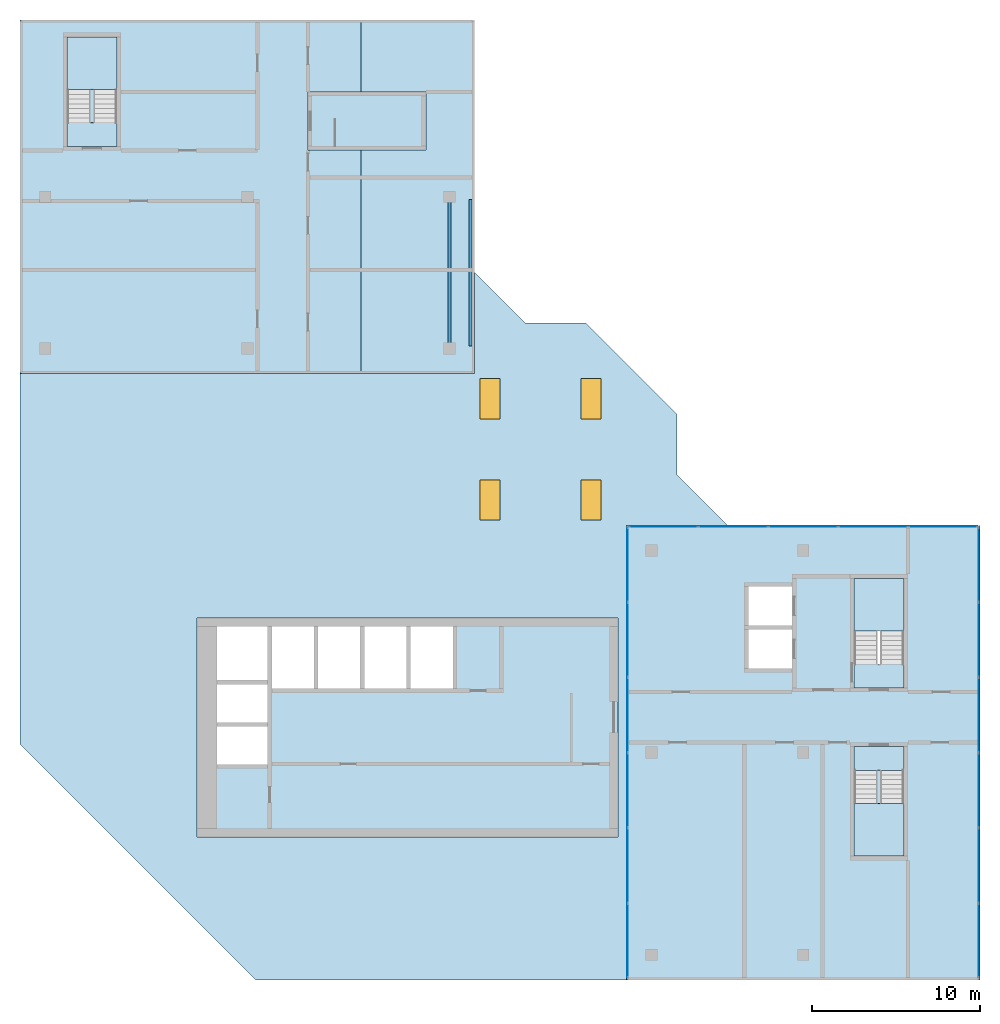
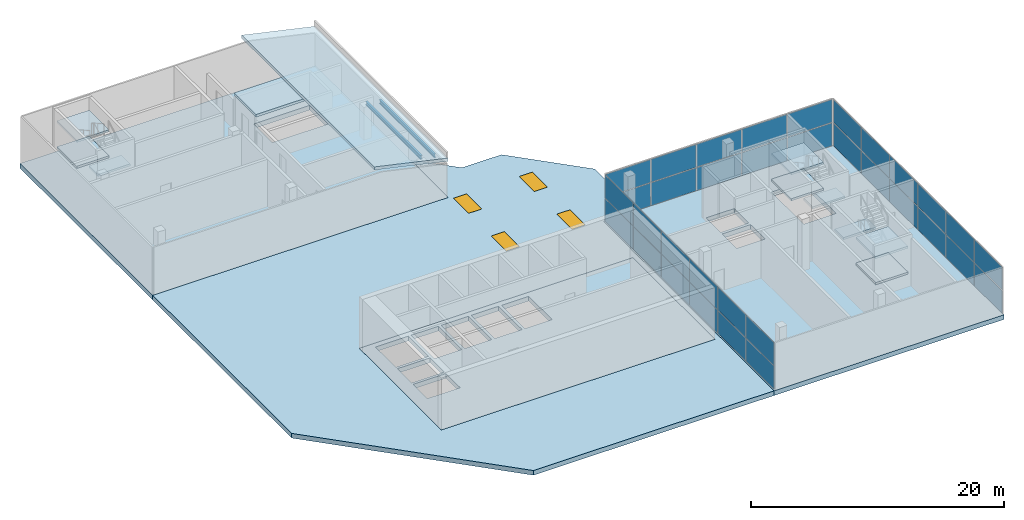
# One storey, part 4 of 8: 34 plates, 15 slabs, 4 windows, 2 beams, 4 openings, 6 elements without a shape of their own.
"""IFC4 building model written with IfcOpenShell, lengths in metres."""

from ifc_helpers import new_model, si_unit, direction, frame, origin, origin_2d, place, context, subcontext, project, spatial, polyline, rectangle, i_section, outline, extrude, material, layer, layer_set, material_profile, profile_set, type_object, element, fill, aggregate, save


model = new_model("IFC4")

# Units and contexts
model_context = context("Model", 3, precision=1e-05, world=origin(), true_north=direction((0.0, 1.0)))
body_context = subcontext(model_context, "Body", "Model", "MODEL_VIEW")
ifc_project = project(units=[si_unit("LENGTHUNIT", "METRE"), si_unit("AREAUNIT", "SQUARE_METRE"), si_unit("VOLUMEUNIT", "CUBIC_METRE"), si_unit("PLANEANGLEUNIT", "RADIAN"), si_unit("MASSUNIT", "GRAM", prefix="KILO")], contexts=[model_context])

# Site, building, storey
site_placement = place(None, origin())
site = spatial("IfcSite", under=ifc_project, at=site_placement, CompositionType="ELEMENT")
building_placement = place(site_placement, origin())
building = spatial("IfcBuilding", under=site, at=building_placement, Name="Chenar Terraces", CompositionType="ELEMENT")
storey_placement = place(building_placement, frame((0.0, 0.0, 383.89990234375)))
storey = spatial("IfcBuildingStorey", under=building, at=storey_placement, Name="L90", CompositionType="ELEMENT", Elevation=383.89990234375)

# Beams
ifc_material_1 = material(Name="Structural steel S355", Category="steel")
ifc_material_profile = material_profile(ifc_material_1, i_section(OverallWidth=0.169921875, OverallDepth=0.360107421875, WebThickness=0.008056640625, FlangeThickness=0.0126953125, FilletRadius=0.01806640625, at=origin_2d()), Name="IPE 360")
ifc_profile_set = profile_set([ifc_material_profile], Name="Structural steel S355")
beam_type = type_object("IfcBeamType", Name="Peak roof purlin IPE 360 S355", PredefinedType="BEAM", material=ifc_profile_set)
for number, where, z_axis, x_axis, name in (
    (1, (25.25, 36.14990234375, 3.11962890625), (0.0, 1.0, 0.0), (-1.0, 0.0, 0.0), "Peak roof purlin B 1"),
    (2, (24.0, 36.14990234375, 3.397705078125), (0.0, 1.0, 0.0), (-1.0, 0.0, 0.0), "Peak roof purlin B 2"),
):
    element("IfcBeam", number, at=place(storey_placement, frame(where, z_axis=z_axis, x_axis=x_axis)), inside=storey, type_object=beam_type, Name=name, PredefinedType="BEAM", context=body_context, shape_type="SweptSolid", body=[
        extrude(i_section(OverallWidth=0.169921875, OverallDepth=0.360107421875, WebThickness=0.008056640625, FlangeThickness=0.0126953125, FilletRadius=0.01806640625, at=origin_2d()), origin(), (0.0, 0.0, 1.0), 8.7001953125),
    ])

# Slab
ifc_material_2 = material(Name="Concrete C40/50", Category="concrete")
ifc_layer_1 = layer(ifc_material_2, 0.25)
ifc_layer_set_1 = layer_set([ifc_layer_1], Name="Concrete C40/50")
slab_type_1 = type_object("IfcSlabType", Name="Block roof slab 250 Concrete C40/50", PredefinedType="ROOF", material=ifc_layer_set_1)
slab_1_placement = place(storey_placement, frame((0.0, 0.0, 3.170166015625)))
element("IfcSlab", 3, at=slab_1_placement, inside=storey, type_object=slab_type_1, Name="Stair 4 roof slab", PredefinedType="ROOF", context=body_context, shape_type="SweptSolid", body=[
    extrude(outline(polyline([(22.60009765625, 47.77490234375), (22.60009765625, 51.22509765625), (15.60009765625, 51.22509765625), (15.60009765625, 47.77490234375), (22.60009765625, 47.77490234375)])), origin(), (0.0, 0.0, 1.0), 0.25),
])

# Stair, slabs
ifc_material_3 = material(Name="Reinforced concrete C40/50", Category="concrete")
stair_type = type_object("IfcStairType", Name="Core stair 1400 half-turn", PredefinedType="HALF_TURN_STAIR", material=ifc_material_3)
placement_1 = place(storey_placement, origin())
stair_1 = element("IfcStair", 4, at=placement_1, inside=storey, type_object=stair_type, Name="L90 Stair 3", PredefinedType="HALF_TURN_STAIR")
ifc_material_4 = material(Name="Reinforced concrete C40/50", Category="concrete")
ifc_layer_2 = layer(ifc_material_4, 0.199951171875)
ifc_layer_set_2 = layer_set([ifc_layer_2], Name="Reinforced concrete C40/50")
slab_type_2 = type_object("IfcSlabType", Name="Core stair landing 200", PredefinedType="LANDING", material=ifc_layer_set_2)
placement_2 = place(storey_placement, frame((0.0, 0.0, 1.050048828125)))
slab_2 = element("IfcSlab", 5, at=placement_2, type_object=slab_type_2, Name="ST3 landing 1", PredefinedType="LANDING", context=body_context, shape_type="SweptSolid", body=[
    extrude(outline(polyline([(50.97509765625, 19.2099609375), (50.97509765625, 22.35009765625), (48.02490234375, 22.35009765625), (48.02490234375, 19.2099609375), (50.97509765625, 19.2099609375)])), origin(), (0.0, 0.0, 1.0), 0.199951171875),
])
placement_3 = place(storey_placement, frame((0.0, 0.0, 2.300048828125)))
slab_3 = element("IfcSlab", 6, at=placement_3, type_object=slab_type_2, Name="ST3 landing 2", PredefinedType="LANDING", context=body_context, shape_type="SweptSolid", body=[
    extrude(outline(polyline([(50.97509765625, 15.85009765625), (50.97509765625, 17.25), (48.02490234375, 17.25), (48.02490234375, 15.85009765625), (50.97509765625, 15.85009765625)])), origin(), (0.0, 0.0, 1.0), 0.199951171875),
])
placement_4 = place(storey_placement, frame((0.0, 0.0, 3.550048828125)))
slab_4 = element("IfcSlab", 7, at=placement_4, type_object=slab_type_2, Name="ST3 landing 3", PredefinedType="LANDING", context=body_context, shape_type="SweptSolid", body=[
    extrude(outline(polyline([(50.97509765625, 19.2099609375), (50.97509765625, 22.35009765625), (48.02490234375, 22.35009765625), (48.02490234375, 19.2099609375), (50.97509765625, 19.2099609375)])), origin(), (0.0, 0.0, 1.0), 0.199951171875),
])
aggregate(stair_1, [slab_2, slab_3, slab_4])

stair_2 = element("IfcStair", 8, at=placement_1, inside=storey, type_object=stair_type, Name="L90 Stair 5", PredefinedType="HALF_TURN_STAIR")
slab_5 = element("IfcSlab", 9, at=placement_2, type_object=slab_type_2, Name="ST5 landing 1", PredefinedType="LANDING", context=body_context, shape_type="SweptSolid", body=[
    extrude(outline(polyline([(48.02490234375, 8.989990234375), (48.02490234375, 5.85009765625), (50.97509765625, 5.85009765625), (50.97509765625, 8.989990234375), (48.02490234375, 8.989990234375)])), origin(), (0.0, 0.0, 1.0), 0.199951171875),
])
slab_6 = element("IfcSlab", 10, at=placement_3, type_object=slab_type_2, Name="ST5 landing 2", PredefinedType="LANDING", context=body_context, shape_type="SweptSolid", body=[
    extrude(outline(polyline([(48.02490234375, 12.35009765625), (48.02490234375, 10.949951171875), (50.97509765625, 10.949951171875), (50.97509765625, 12.35009765625), (48.02490234375, 12.35009765625)])), origin(), (0.0, 0.0, 1.0), 0.199951171875),
])
slab_7 = element("IfcSlab", 11, at=placement_4, type_object=slab_type_2, Name="ST5 landing 3", PredefinedType="LANDING", context=body_context, shape_type="SweptSolid", body=[
    extrude(outline(polyline([(48.02490234375, 8.989990234375), (48.02490234375, 5.85009765625), (50.97509765625, 5.85009765625), (50.97509765625, 8.989990234375), (48.02490234375, 8.989990234375)])), origin(), (0.0, 0.0, 1.0), 0.199951171875),
])
aggregate(stair_2, [slab_5, slab_6, slab_7])

stair_3 = element("IfcStair", 12, at=placement_1, inside=storey, type_object=stair_type, Name="L90 Stair 6", PredefinedType="HALF_TURN_STAIR")
slab_8 = element("IfcSlab", 13, at=placement_2, type_object=slab_type_2, Name="ST6 landing 1", PredefinedType="LANDING", context=body_context, shape_type="SweptSolid", body=[
    extrude(outline(polyline([(4.25, 51.360107421875), (4.25, 54.5), (1.300048828125, 54.5), (1.300048828125, 51.360107421875), (4.25, 51.360107421875)])), origin(), (0.0, 0.0, 1.0), 0.199951171875),
])
slab_9 = element("IfcSlab", 14, at=placement_3, type_object=slab_type_2, Name="ST6 landing 2", PredefinedType="LANDING", context=body_context, shape_type="SweptSolid", body=[
    extrude(outline(polyline([(4.25, 48.0), (4.25, 49.39990234375), (1.300048828125, 49.39990234375), (1.300048828125, 48.0), (4.25, 48.0)])), origin(), (0.0, 0.0, 1.0), 0.199951171875),
])
slab_10 = element("IfcSlab", 15, at=placement_4, type_object=slab_type_2, Name="ST6 landing 3", PredefinedType="LANDING", context=body_context, shape_type="SweptSolid", body=[
    extrude(outline(polyline([(4.25, 51.360107421875), (4.25, 54.5), (1.300048828125, 54.5), (1.300048828125, 51.360107421875), (4.25, 51.360107421875)])), origin(), (0.0, 0.0, 1.0), 0.199951171875),
])
aggregate(stair_3, [slab_8, slab_9, slab_10])

# Curtain wall, plates
ifc_material_5 = material(Name="Aluminium framed glazing", Category="aluminium")
ifc_layer_3 = layer(ifc_material_5, 0.14990234375)
ifc_layer_set_3 = layer_set([ifc_layer_3], Name="Aluminium framed glazing")
curtain_wall_type = type_object("IfcCurtainWallType", Name="Crown curtain wall", PredefinedType="NOTDEFINED", material=ifc_layer_set_3)
curtain_wall_1 = element("IfcCurtainWall", 16, at=placement_1, inside=storey, type_object=curtain_wall_type, Name="Crown curtain wall", PredefinedType="NOTDEFINED")
ifc_material_6 = material(Name="Low emissivity laminated glass, solar control coating", Category="glass")
ifc_layer_4 = layer(ifc_material_6, 0.028076171875)
ifc_layer_set_4 = layer_set([ifc_layer_4], Name="Low emissivity laminated glass, solar control coating")
plate_type = type_object("IfcPlateType", Name="Crown glazing panel 28", PredefinedType="CURTAIN_PANEL", material=ifc_layer_set_4)
plate_1_placement = place(storey_placement, frame((55.425048828125, 0.848388671875, 0.06005859375), z_axis=(0.0, 0.0, 1.0), x_axis=(0.0, 1.0, 0.0)))
plate_1 = element("IfcPlate", 17, at=plate_1_placement, type_object=plate_type, Name="CW4-01 panel 1.1", PredefinedType="CURTAIN_PANEL", context=body_context, shape_type="SweptSolid", body=[
    extrude(rectangle(XDim=4.376708984375, YDim=0.028076171875, at=origin_2d()), origin(), (0.0, 0.0, 1.0), 2.2099609375),
])
plate_2_placement = place(storey_placement, frame((55.425048828125, 0.848388671875, 2.330078125), z_axis=(0.0, 0.0, 1.0), x_axis=(0.0, 1.0, 0.0)))
plate_2 = element("IfcPlate", 18, at=plate_2_placement, type_object=plate_type, Name="CW4-01 panel 1.2", PredefinedType="CURTAIN_PANEL", context=body_context, shape_type="SweptSolid", body=[
    extrude(rectangle(XDim=4.376708984375, YDim=0.028076171875, at=origin_2d()), origin(), (0.0, 0.0, 1.0), 2.2099609375),
])
plate_3_placement = place(storey_placement, frame((55.425048828125, 5.300048828125, 0.06005859375), z_axis=(0.0, 0.0, 1.0), x_axis=(0.0, 1.0, 0.0)))
plate_3 = element("IfcPlate", 19, at=plate_3_placement, type_object=plate_type, Name="CW4-01 panel 2.1", PredefinedType="CURTAIN_PANEL", context=body_context, shape_type="SweptSolid", body=[
    extrude(rectangle(XDim=4.40673828125, YDim=0.028076171875, at=origin_2d()), origin(), (0.0, 0.0, 1.0), 2.2099609375),
])
plate_4_placement = place(storey_placement, frame((55.425048828125, 5.300048828125, 2.330078125), z_axis=(0.0, 0.0, 1.0), x_axis=(0.0, 1.0, 0.0)))
plate_4 = element("IfcPlate", 20, at=plate_4_placement, type_object=plate_type, Name="CW4-01 panel 2.2", PredefinedType="CURTAIN_PANEL", context=body_context, shape_type="SweptSolid", body=[
    extrude(rectangle(XDim=4.40673828125, YDim=0.028076171875, at=origin_2d()), origin(), (0.0, 0.0, 1.0), 2.2099609375),
])
plate_5_placement = place(storey_placement, frame((55.425048828125, 9.7666015625, 0.06005859375), z_axis=(0.0, 0.0, 1.0), x_axis=(0.0, 1.0, 0.0)))
plate_5 = element("IfcPlate", 21, at=plate_5_placement, type_object=plate_type, Name="CW4-01 panel 3.1", PredefinedType="CURTAIN_PANEL", context=body_context, shape_type="SweptSolid", body=[
    extrude(rectangle(XDim=4.40673828125, YDim=0.028076171875, at=origin_2d()), origin(), (0.0, 0.0, 1.0), 2.2099609375),
])
plate_6_placement = place(storey_placement, frame((55.425048828125, 9.7666015625, 2.330078125), z_axis=(0.0, 0.0, 1.0), x_axis=(0.0, 1.0, 0.0)))
plate_6 = element("IfcPlate", 22, at=plate_6_placement, type_object=plate_type, Name="CW4-01 panel 3.2", PredefinedType="CURTAIN_PANEL", context=body_context, shape_type="SweptSolid", body=[
    extrude(rectangle(XDim=4.40673828125, YDim=0.028076171875, at=origin_2d()), origin(), (0.0, 0.0, 1.0), 2.2099609375),
])
plate_7_placement = place(storey_placement, frame((55.425048828125, 14.2333984375, 0.06005859375), z_axis=(0.0, 0.0, 1.0), x_axis=(0.0, 1.0, 0.0)))
plate_7 = element("IfcPlate", 23, at=plate_7_placement, type_object=plate_type, Name="CW4-01 panel 4.1", PredefinedType="CURTAIN_PANEL", context=body_context, shape_type="SweptSolid", body=[
    extrude(rectangle(XDim=4.40673828125, YDim=0.028076171875, at=origin_2d()), origin(), (0.0, 0.0, 1.0), 2.2099609375),
])
plate_8_placement = place(storey_placement, frame((55.425048828125, 14.2333984375, 2.330078125), z_axis=(0.0, 0.0, 1.0), x_axis=(0.0, 1.0, 0.0)))
plate_8 = element("IfcPlate", 24, at=plate_8_placement, type_object=plate_type, Name="CW4-01 panel 4.2", PredefinedType="CURTAIN_PANEL", context=body_context, shape_type="SweptSolid", body=[
    extrude(rectangle(XDim=4.40673828125, YDim=0.028076171875, at=origin_2d()), origin(), (0.0, 0.0, 1.0), 2.2099609375),
])
plate_9_placement = place(storey_placement, frame((55.425048828125, 18.699951171875, 0.06005859375), z_axis=(0.0, 0.0, 1.0), x_axis=(0.0, 1.0, 0.0)))
plate_9 = element("IfcPlate", 25, at=plate_9_placement, type_object=plate_type, Name="CW4-01 panel 5.1", PredefinedType="CURTAIN_PANEL", context=body_context, shape_type="SweptSolid", body=[
    extrude(rectangle(XDim=4.40673828125, YDim=0.028076171875, at=origin_2d()), origin(), (0.0, 0.0, 1.0), 2.2099609375),
])
plate_10_placement = place(storey_placement, frame((55.425048828125, 18.699951171875, 2.330078125), z_axis=(0.0, 0.0, 1.0), x_axis=(0.0, 1.0, 0.0)))
plate_10 = element("IfcPlate", 26, at=plate_10_placement, type_object=plate_type, Name="CW4-01 panel 5.2", PredefinedType="CURTAIN_PANEL", context=body_context, shape_type="SweptSolid", body=[
    extrude(rectangle(XDim=4.40673828125, YDim=0.028076171875, at=origin_2d()), origin(), (0.0, 0.0, 1.0), 2.2099609375),
])
plate_11_placement = place(storey_placement, frame((55.425048828125, 23.151611328125, 0.06005859375), z_axis=(0.0, 0.0, 1.0), x_axis=(0.0, 1.0, 0.0)))
plate_11 = element("IfcPlate", 27, at=plate_11_placement, type_object=plate_type, Name="CW4-01 panel 6.1", PredefinedType="CURTAIN_PANEL", context=body_context, shape_type="SweptSolid", body=[
    extrude(rectangle(XDim=4.376708984375, YDim=0.028076171875, at=origin_2d()), origin(), (0.0, 0.0, 1.0), 2.2099609375),
])
plate_12_placement = place(storey_placement, frame((55.425048828125, 23.151611328125, 2.330078125), z_axis=(0.0, 0.0, 1.0), x_axis=(0.0, 1.0, 0.0)))
plate_12 = element("IfcPlate", 28, at=plate_12_placement, type_object=plate_type, Name="CW4-01 panel 6.2", PredefinedType="CURTAIN_PANEL", context=body_context, shape_type="SweptSolid", body=[
    extrude(rectangle(XDim=4.376708984375, YDim=0.028076171875, at=origin_2d()), origin(), (0.0, 0.0, 1.0), 2.2099609375),
])
aggregate(curtain_wall_1, [plate_1, plate_2, plate_3, plate_4, plate_5, plate_6, plate_7, plate_8, plate_9, plate_10, plate_11, plate_12])

curtain_wall_2 = element("IfcCurtainWall", 29, at=placement_1, inside=storey, type_object=curtain_wall_type, Name="Crown curtain wall", PredefinedType="NOTDEFINED")
plate_13_placement = place(storey_placement, frame((53.304931640625, 25.425048828125, 0.06005859375), z_axis=(0.0, 0.0, 1.0), x_axis=(-1.0, 0.0, 0.0)))
plate_13 = element("IfcPlate", 30, at=plate_13_placement, type_object=plate_type, Name="CW4-02 panel 1.1", PredefinedType="CURTAIN_PANEL", context=body_context, shape_type="SweptSolid", body=[
    extrude(rectangle(XDim=4.070068359375, YDim=0.028076171875, at=origin_2d()), origin(), (0.0, 0.0, 1.0), 2.2099609375),
])
plate_14_placement = place(storey_placement, frame((53.304931640625, 25.425048828125, 2.330078125), z_axis=(0.0, 0.0, 1.0), x_axis=(-1.0, 0.0, 0.0)))
plate_14 = element("IfcPlate", 31, at=plate_14_placement, type_object=plate_type, Name="CW4-02 panel 1.2", PredefinedType="CURTAIN_PANEL", context=body_context, shape_type="SweptSolid", body=[
    extrude(rectangle(XDim=4.070068359375, YDim=0.028076171875, at=origin_2d()), origin(), (0.0, 0.0, 1.0), 2.2099609375),
])
plate_15_placement = place(storey_placement, frame((49.159912109375, 25.425048828125, 0.06005859375), z_axis=(0.0, 0.0, 1.0), x_axis=(-1.0, 0.0, 0.0)))
plate_15 = element("IfcPlate", 32, at=plate_15_placement, type_object=plate_type, Name="CW4-02 panel 2.1", PredefinedType="CURTAIN_PANEL", context=body_context, shape_type="SweptSolid", body=[
    extrude(rectangle(XDim=4.10009765625, YDim=0.028076171875, at=origin_2d()), origin(), (0.0, 0.0, 1.0), 2.2099609375),
])
plate_16_placement = place(storey_placement, frame((49.159912109375, 25.425048828125, 2.330078125), z_axis=(0.0, 0.0, 1.0), x_axis=(-1.0, 0.0, 0.0)))
plate_16 = element("IfcPlate", 33, at=plate_16_placement, type_object=plate_type, Name="CW4-02 panel 2.2", PredefinedType="CURTAIN_PANEL", context=body_context, shape_type="SweptSolid", body=[
    extrude(rectangle(XDim=4.10009765625, YDim=0.028076171875, at=origin_2d()), origin(), (0.0, 0.0, 1.0), 2.2099609375),
])
plate_17_placement = place(storey_placement, frame((45.0, 25.425048828125, 0.06005859375), z_axis=(0.0, 0.0, 1.0), x_axis=(-1.0, 0.0, 0.0)))
plate_17 = element("IfcPlate", 34, at=plate_17_placement, type_object=plate_type, Name="CW4-02 panel 3.1", PredefinedType="CURTAIN_PANEL", context=body_context, shape_type="SweptSolid", body=[
    extrude(rectangle(XDim=4.10009765625, YDim=0.028076171875, at=origin_2d()), origin(), (0.0, 0.0, 1.0), 2.2099609375),
])
plate_18_placement = place(storey_placement, frame((45.0, 25.425048828125, 2.330078125), z_axis=(0.0, 0.0, 1.0), x_axis=(-1.0, 0.0, 0.0)))
plate_18 = element("IfcPlate", 35, at=plate_18_placement, type_object=plate_type, Name="CW4-02 panel 3.2", PredefinedType="CURTAIN_PANEL", context=body_context, shape_type="SweptSolid", body=[
    extrude(rectangle(XDim=4.10009765625, YDim=0.028076171875, at=origin_2d()), origin(), (0.0, 0.0, 1.0), 2.2099609375),
])
plate_19_placement = place(storey_placement, frame((40.840087890625, 25.425048828125, 0.06005859375), z_axis=(0.0, 0.0, 1.0), x_axis=(-1.0, 0.0, 0.0)))
plate_19 = element("IfcPlate", 36, at=plate_19_placement, type_object=plate_type, Name="CW4-02 panel 4.1", PredefinedType="CURTAIN_PANEL", context=body_context, shape_type="SweptSolid", body=[
    extrude(rectangle(XDim=4.10009765625, YDim=0.028076171875, at=origin_2d()), origin(), (0.0, 0.0, 1.0), 2.2099609375),
])
plate_20_placement = place(storey_placement, frame((40.840087890625, 25.425048828125, 2.330078125), z_axis=(0.0, 0.0, 1.0), x_axis=(-1.0, 0.0, 0.0)))
plate_20 = element("IfcPlate", 37, at=plate_20_placement, type_object=plate_type, Name="CW4-02 panel 4.2", PredefinedType="CURTAIN_PANEL", context=body_context, shape_type="SweptSolid", body=[
    extrude(rectangle(XDim=4.10009765625, YDim=0.028076171875, at=origin_2d()), origin(), (0.0, 0.0, 1.0), 2.2099609375),
])
plate_21_placement = place(storey_placement, frame((36.695068359375, 25.425048828125, 0.06005859375), z_axis=(0.0, 0.0, 1.0), x_axis=(-1.0, 0.0, 0.0)))
plate_21 = element("IfcPlate", 38, at=plate_21_placement, type_object=plate_type, Name="CW4-02 panel 5.1", PredefinedType="CURTAIN_PANEL", context=body_context, shape_type="SweptSolid", body=[
    extrude(rectangle(XDim=4.070068359375, YDim=0.028076171875, at=origin_2d()), origin(), (0.0, 0.0, 1.0), 2.2099609375),
])
plate_22_placement = place(storey_placement, frame((36.695068359375, 25.425048828125, 2.330078125), z_axis=(0.0, 0.0, 1.0), x_axis=(-1.0, 0.0, 0.0)))
plate_22 = element("IfcPlate", 39, at=plate_22_placement, type_object=plate_type, Name="CW4-02 panel 5.2", PredefinedType="CURTAIN_PANEL", context=body_context, shape_type="SweptSolid", body=[
    extrude(rectangle(XDim=4.070068359375, YDim=0.028076171875, at=origin_2d()), origin(), (0.0, 0.0, 1.0), 2.2099609375),
])
aggregate(curtain_wall_2, [plate_13, plate_14, plate_15, plate_16, plate_17, plate_18, plate_19, plate_20, plate_21, plate_22])

curtain_wall_3 = element("IfcCurtainWall", 40, at=placement_1, inside=storey, type_object=curtain_wall_type, Name="Crown curtain wall", PredefinedType="NOTDEFINED")
plate_23_placement = place(storey_placement, frame((34.574951171875, 23.151611328125, 0.06005859375), z_axis=(0.0, 0.0, 1.0), x_axis=(0.0, -1.0, 0.0)))
plate_23 = element("IfcPlate", 41, at=plate_23_placement, type_object=plate_type, Name="CW4-03 panel 1.1", PredefinedType="CURTAIN_PANEL", context=body_context, shape_type="SweptSolid", body=[
    extrude(rectangle(XDim=4.376708984375, YDim=0.028076171875, at=origin_2d()), origin(), (0.0, 0.0, 1.0), 2.2099609375),
])
plate_24_placement = place(storey_placement, frame((34.574951171875, 23.151611328125, 2.330078125), z_axis=(0.0, 0.0, 1.0), x_axis=(0.0, -1.0, 0.0)))
plate_24 = element("IfcPlate", 42, at=plate_24_placement, type_object=plate_type, Name="CW4-03 panel 1.2", PredefinedType="CURTAIN_PANEL", context=body_context, shape_type="SweptSolid", body=[
    extrude(rectangle(XDim=4.376708984375, YDim=0.028076171875, at=origin_2d()), origin(), (0.0, 0.0, 1.0), 2.2099609375),
])
plate_25_placement = place(storey_placement, frame((34.574951171875, 18.699951171875, 0.06005859375), z_axis=(0.0, 0.0, 1.0), x_axis=(0.0, -1.0, 0.0)))
plate_25 = element("IfcPlate", 43, at=plate_25_placement, type_object=plate_type, Name="CW4-03 panel 2.1", PredefinedType="CURTAIN_PANEL", context=body_context, shape_type="SweptSolid", body=[
    extrude(rectangle(XDim=4.40673828125, YDim=0.028076171875, at=origin_2d()), origin(), (0.0, 0.0, 1.0), 2.2099609375),
])
plate_26_placement = place(storey_placement, frame((34.574951171875, 18.699951171875, 2.330078125), z_axis=(0.0, 0.0, 1.0), x_axis=(0.0, -1.0, 0.0)))
plate_26 = element("IfcPlate", 44, at=plate_26_placement, type_object=plate_type, Name="CW4-03 panel 2.2", PredefinedType="CURTAIN_PANEL", context=body_context, shape_type="SweptSolid", body=[
    extrude(rectangle(XDim=4.40673828125, YDim=0.028076171875, at=origin_2d()), origin(), (0.0, 0.0, 1.0), 2.2099609375),
])
plate_27_placement = place(storey_placement, frame((34.574951171875, 14.2333984375, 0.06005859375), z_axis=(0.0, 0.0, 1.0), x_axis=(0.0, -1.0, 0.0)))
plate_27 = element("IfcPlate", 45, at=plate_27_placement, type_object=plate_type, Name="CW4-03 panel 3.1", PredefinedType="CURTAIN_PANEL", context=body_context, shape_type="SweptSolid", body=[
    extrude(rectangle(XDim=4.40673828125, YDim=0.028076171875, at=origin_2d()), origin(), (0.0, 0.0, 1.0), 2.2099609375),
])
plate_28_placement = place(storey_placement, frame((34.574951171875, 14.2333984375, 2.330078125), z_axis=(0.0, 0.0, 1.0), x_axis=(0.0, -1.0, 0.0)))
plate_28 = element("IfcPlate", 46, at=plate_28_placement, type_object=plate_type, Name="CW4-03 panel 3.2", PredefinedType="CURTAIN_PANEL", context=body_context, shape_type="SweptSolid", body=[
    extrude(rectangle(XDim=4.40673828125, YDim=0.028076171875, at=origin_2d()), origin(), (0.0, 0.0, 1.0), 2.2099609375),
])
plate_29_placement = place(storey_placement, frame((34.574951171875, 9.7666015625, 0.06005859375), z_axis=(0.0, 0.0, 1.0), x_axis=(0.0, -1.0, 0.0)))
plate_29 = element("IfcPlate", 47, at=plate_29_placement, type_object=plate_type, Name="CW4-03 panel 4.1", PredefinedType="CURTAIN_PANEL", context=body_context, shape_type="SweptSolid", body=[
    extrude(rectangle(XDim=4.40673828125, YDim=0.028076171875, at=origin_2d()), origin(), (0.0, 0.0, 1.0), 2.2099609375),
])
plate_30_placement = place(storey_placement, frame((34.574951171875, 9.7666015625, 2.330078125), z_axis=(0.0, 0.0, 1.0), x_axis=(0.0, -1.0, 0.0)))
plate_30 = element("IfcPlate", 48, at=plate_30_placement, type_object=plate_type, Name="CW4-03 panel 4.2", PredefinedType="CURTAIN_PANEL", context=body_context, shape_type="SweptSolid", body=[
    extrude(rectangle(XDim=4.40673828125, YDim=0.028076171875, at=origin_2d()), origin(), (0.0, 0.0, 1.0), 2.2099609375),
])
plate_31_placement = place(storey_placement, frame((34.574951171875, 5.300048828125, 0.06005859375), z_axis=(0.0, 0.0, 1.0), x_axis=(0.0, -1.0, 0.0)))
plate_31 = element("IfcPlate", 49, at=plate_31_placement, type_object=plate_type, Name="CW4-03 panel 5.1", PredefinedType="CURTAIN_PANEL", context=body_context, shape_type="SweptSolid", body=[
    extrude(rectangle(XDim=4.40673828125, YDim=0.028076171875, at=origin_2d()), origin(), (0.0, 0.0, 1.0), 2.2099609375),
])
plate_32_placement = place(storey_placement, frame((34.574951171875, 5.300048828125, 2.330078125), z_axis=(0.0, 0.0, 1.0), x_axis=(0.0, -1.0, 0.0)))
plate_32 = element("IfcPlate", 50, at=plate_32_placement, type_object=plate_type, Name="CW4-03 panel 5.2", PredefinedType="CURTAIN_PANEL", context=body_context, shape_type="SweptSolid", body=[
    extrude(rectangle(XDim=4.40673828125, YDim=0.028076171875, at=origin_2d()), origin(), (0.0, 0.0, 1.0), 2.2099609375),
])
plate_33_placement = place(storey_placement, frame((34.574951171875, 0.848388671875, 0.06005859375), z_axis=(0.0, 0.0, 1.0), x_axis=(0.0, -1.0, 0.0)))
plate_33 = element("IfcPlate", 51, at=plate_33_placement, type_object=plate_type, Name="CW4-03 panel 6.1", PredefinedType="CURTAIN_PANEL", context=body_context, shape_type="SweptSolid", body=[
    extrude(rectangle(XDim=4.376708984375, YDim=0.028076171875, at=origin_2d()), origin(), (0.0, 0.0, 1.0), 2.2099609375),
])
plate_34_placement = place(storey_placement, frame((34.574951171875, 0.848388671875, 2.330078125), z_axis=(0.0, 0.0, 1.0), x_axis=(0.0, -1.0, 0.0)))
plate_34 = element("IfcPlate", 52, at=plate_34_placement, type_object=plate_type, Name="CW4-03 panel 6.2", PredefinedType="CURTAIN_PANEL", context=body_context, shape_type="SweptSolid", body=[
    extrude(rectangle(XDim=4.376708984375, YDim=0.028076171875, at=origin_2d()), origin(), (0.0, 0.0, 1.0), 2.2099609375),
])
aggregate(curtain_wall_3, [plate_23, plate_24, plate_25, plate_26, plate_27, plate_28, plate_29, plate_30, plate_31, plate_32, plate_33, plate_34])

# Slabs
ifc_material_7 = material(Name="Concrete C40/50", Category="concrete")
ifc_layer_5 = layer(ifc_material_7, 0.449951171875)
ifc_layer_set_5 = layer_set([ifc_layer_5], Name="Concrete C40/50")
slab_type_3 = type_object("IfcSlabType", Name="Floor slab 450 Concrete C40/50", PredefinedType="FLOOR", material=ifc_layer_set_5)
placement_5 = place(storey_placement, frame((0.0, 0.0, -0.449951171875)))
element("IfcSlab", 53, at=placement_5, inside=storey, type_object=slab_type_3, Name="Floor slab L90", PredefinedType="FLOOR", context=body_context, shape_type="SweptSolid", body=[
    extrude(outline(polyline([(34.5, 25.5), (55.5, 25.5), (55.5, -1.5), (34.5, -1.5), (34.5, 25.5)]), holes=[polyline([(41.75, 19.300048828125), (41.75, 17.0), (44.35009765625, 17.0), (44.35009765625, 19.300048828125), (41.75, 19.300048828125)]), polyline([(50.97509765625, 22.35009765625), (48.02490234375, 22.35009765625), (48.02490234375, 17.25), (50.97509765625, 17.25), (50.97509765625, 22.35009765625)]), polyline([(44.35009765625, 21.85009765625), (41.75, 21.85009765625), (41.75, 19.550048828125), (44.35009765625, 19.550048828125), (44.35009765625, 21.85009765625)])]), origin(), (0.0, 0.0, 1.0), 0.449951171875),
])
element("IfcSlab", 54, at=placement_5, inside=storey, type_object=slab_type_3, Name="Floor slab L90 part 2", PredefinedType="FLOOR", context=body_context, shape_type="SweptSolid", body=[
    extrude(outline(polyline([(34.0, 20.0), (34.0, 7.0), (9.0, 7.0), (9.0, 20.0), (34.0, 20.0)]), holes=[polyline([(10.199951171875, 13.550048828125), (10.199951171875, 11.300048828125), (13.199951171875, 11.300048828125), (13.199951171875, 13.550048828125), (10.199951171875, 13.550048828125)]), polyline([(10.199951171875, 16.050048828125), (10.199951171875, 13.800048828125), (13.199951171875, 13.800048828125), (13.199951171875, 16.050048828125), (10.199951171875, 16.050048828125)]), polyline([(13.449951171875, 19.5), (13.449951171875, 15.800048828125), (15.949951171875, 15.800048828125), (15.949951171875, 19.5), (13.449951171875, 19.5)]), polyline([(18.699951171875, 19.5), (16.199951171875, 19.5), (16.199951171875, 15.800048828125), (18.699951171875, 15.800048828125), (18.699951171875, 19.5)]), polyline([(13.199951171875, 19.5), (10.199951171875, 19.5), (10.199951171875, 16.300048828125), (13.199951171875, 16.300048828125), (13.199951171875, 19.5)]), polyline([(21.449951171875, 19.5), (18.949951171875, 19.5), (18.949951171875, 15.800048828125), (21.449951171875, 15.800048828125), (21.449951171875, 19.5)]), polyline([(24.199951171875, 19.5), (21.699951171875, 19.5), (21.699951171875, 15.800048828125), (24.199951171875, 15.800048828125), (24.199951171875, 19.5)])]), origin(), (0.0, 0.0, 1.0), 0.449951171875),
])
element("IfcSlab", 55, at=placement_5, inside=storey, type_object=slab_type_3, Name="Floor slab L90 part 3", PredefinedType="FLOOR", context=body_context, shape_type="SweptSolid", body=[
    extrude(outline(polyline([(25.5, 55.5), (25.5, 34.5), (-1.5, 34.5), (-1.5, 55.5), (25.5, 55.5)]), holes=[polyline([(22.35009765625, 50.97509765625), (17.25, 50.97509765625), (17.25, 48.02490234375), (22.35009765625, 48.02490234375), (22.35009765625, 50.97509765625)])]), origin(), (0.0, 0.0, 1.0), 0.449951171875),
])

# Slab, openings, windows
ifc_material_8 = material(Name="Concrete C40/50", Category="concrete")
ifc_layer_6 = layer(ifc_material_8, 0.449951171875)
ifc_layer_set_6 = layer_set([ifc_layer_6], Name="Concrete C40/50")
slab_type_4 = type_object("IfcSlabType", Name="Roof slab 450 Concrete C40/50", PredefinedType="ROOF", material=ifc_layer_set_6)
slab_14 = element("IfcSlab", 56, at=placement_5, inside=storey, type_object=slab_type_4, Name="Roof slab over L89", PredefinedType="ROOF", context=body_context, shape_type="SweptSolid", body=[
    extrude(outline(polyline([(12.5, -1.5), (-1.5, 12.5), (-1.5, 34.5), (25.5, 34.5), (25.5, 40.5), (28.5, 37.5), (32.10009765625, 37.5), (37.5, 32.10009765625), (37.5, 28.5), (40.5, 25.5), (34.5, 25.5), (34.5, -1.5), (12.5, -1.5)]), holes=[polyline([(9.0, 7.0), (34.0, 7.0), (34.0, 20.0), (9.0, 20.0), (9.0, 7.0)])]), origin(), (0.0, 0.0, 1.0), 0.449951171875),
])
opening_1_placement = place(placement_5, frame((26.39990234375, 27.0, 0.0)))
opening_1 = element("IfcOpeningElement", 57, at=opening_1_placement, cuts=slab_14, Name="Opening SL1", PredefinedType="OPENING", context=body_context, shape_type="SweptSolid", body=[
    extrude(rectangle(XDim=1.199951171875, YDim=2.39990234375, at=origin_2d()), origin(), (0.0, 0.0, 1.0), 0.449951171875),
])
opening_2_placement = place(placement_5, frame((32.39990234375, 27.0, 0.0)))
opening_2 = element("IfcOpeningElement", 58, at=opening_2_placement, cuts=slab_14, Name="Opening SL1", PredefinedType="OPENING", context=body_context, shape_type="SweptSolid", body=[
    extrude(rectangle(XDim=1.199951171875, YDim=2.39990234375, at=origin_2d()), origin(), (0.0, 0.0, 1.0), 0.449951171875),
])
opening_3_placement = place(placement_5, frame((26.39990234375, 33.0, 0.0)))
opening_3 = element("IfcOpeningElement", 59, at=opening_3_placement, cuts=slab_14, Name="Opening SL1", PredefinedType="OPENING", context=body_context, shape_type="SweptSolid", body=[
    extrude(rectangle(XDim=1.199951171875, YDim=2.39990234375, at=origin_2d()), origin(), (0.0, 0.0, 1.0), 0.449951171875),
])
opening_4_placement = place(placement_5, frame((32.39990234375, 33.0, 0.0)))
opening_4 = element("IfcOpeningElement", 60, at=opening_4_placement, cuts=slab_14, Name="Opening SL1", PredefinedType="OPENING", context=body_context, shape_type="SweptSolid", body=[
    extrude(rectangle(XDim=1.199951171875, YDim=2.39990234375, at=origin_2d()), origin(), (0.0, 0.0, 1.0), 0.449951171875),
])
ifc_material_9 = material(Name="Low emissivity laminated glass, solar control coating", Category="glass")
window_type = type_object("IfcWindowType", Name="Rooflight 1200 x 2400", PartitioningType="SINGLE_PANEL", PredefinedType="SKYLIGHT", material=ifc_material_9)
window_1_placement = place(opening_1_placement, frame((0.0, 0.0, 0.39990234375)))
window_1 = element("IfcWindow", 61, at=window_1_placement, inside=storey, type_object=window_type, Name="Rooflight", OverallHeight=2.39990234375, OverallWidth=1.199951171875, PartitioningType="SINGLE_PANEL", PredefinedType="SKYLIGHT", context=body_context, shape_type="SweptSolid", body=[
    extrude(rectangle(XDim=1.199951171875, YDim=2.39990234375, at=origin_2d()), origin(), (0.0, 0.0, 1.0), 0.050048828125),
])
fill(opening_1, window_1)
window_2_placement = place(opening_2_placement, frame((0.0, 0.0, 0.39990234375)))
window_2 = element("IfcWindow", 62, at=window_2_placement, inside=storey, type_object=window_type, Name="Rooflight", OverallHeight=2.39990234375, OverallWidth=1.199951171875, PartitioningType="SINGLE_PANEL", PredefinedType="SKYLIGHT", context=body_context, shape_type="SweptSolid", body=[
    extrude(rectangle(XDim=1.199951171875, YDim=2.39990234375, at=origin_2d()), origin(), (0.0, 0.0, 1.0), 0.050048828125),
])
fill(opening_2, window_2)
window_3_placement = place(opening_3_placement, frame((0.0, 0.0, 0.39990234375)))
window_3 = element("IfcWindow", 63, at=window_3_placement, inside=storey, type_object=window_type, Name="Rooflight", OverallHeight=2.39990234375, OverallWidth=1.199951171875, PartitioningType="SINGLE_PANEL", PredefinedType="SKYLIGHT", context=body_context, shape_type="SweptSolid", body=[
    extrude(rectangle(XDim=1.199951171875, YDim=2.39990234375, at=origin_2d()), origin(), (0.0, 0.0, 1.0), 0.050048828125),
])
fill(opening_3, window_3)
window_4_placement = place(opening_4_placement, frame((0.0, 0.0, 0.39990234375)))
window_4 = element("IfcWindow", 64, at=window_4_placement, inside=storey, type_object=window_type, Name="Rooflight", OverallHeight=2.39990234375, OverallWidth=1.199951171875, PartitioningType="SINGLE_PANEL", PredefinedType="SKYLIGHT", context=body_context, shape_type="SweptSolid", body=[
    extrude(rectangle(XDim=1.199951171875, YDim=2.39990234375, at=origin_2d()), origin(), (0.0, 0.0, 1.0), 0.050048828125),
])
fill(opening_4, window_4)

# Slab
ifc_material_10 = material(Name="Terracotta roof tile on insulated deck", Category="masonry")
ifc_layer_7 = layer(ifc_material_10, 0.300048828125)
ifc_layer_set_7 = layer_set([ifc_layer_7], Name="Terracotta roof tile on insulated deck")
slab_type_5 = type_object("IfcSlabType", Name="Terracotta roof tile 300", PredefinedType="ROOF", material=ifc_layer_set_7)
slab_15_placement = place(storey_placement, frame((25.5, 55.5, 3.807373046875), z_axis=(0.21719995317, 0.0, 0.976127133289), x_axis=(-0.976127133289, 0.0, 0.21719995317)))
element("IfcSlab", 65, at=slab_15_placement, inside=storey, type_object=slab_type_5, Name="Terracotta roof tile", PredefinedType="ROOF", context=body_context, shape_type="SweptSolid", body=[
    extrude(outline(polyline([(0.0, 0.0), (6.90607883707315, 0.0), (6.90607883707315, 21.0), (0.0, 21.0), (0.0, 0.0)])), origin(), (-0.21719995317, 0.0, -0.976127133289), 0.307373046875),
])

save(model, "model.ifc")
